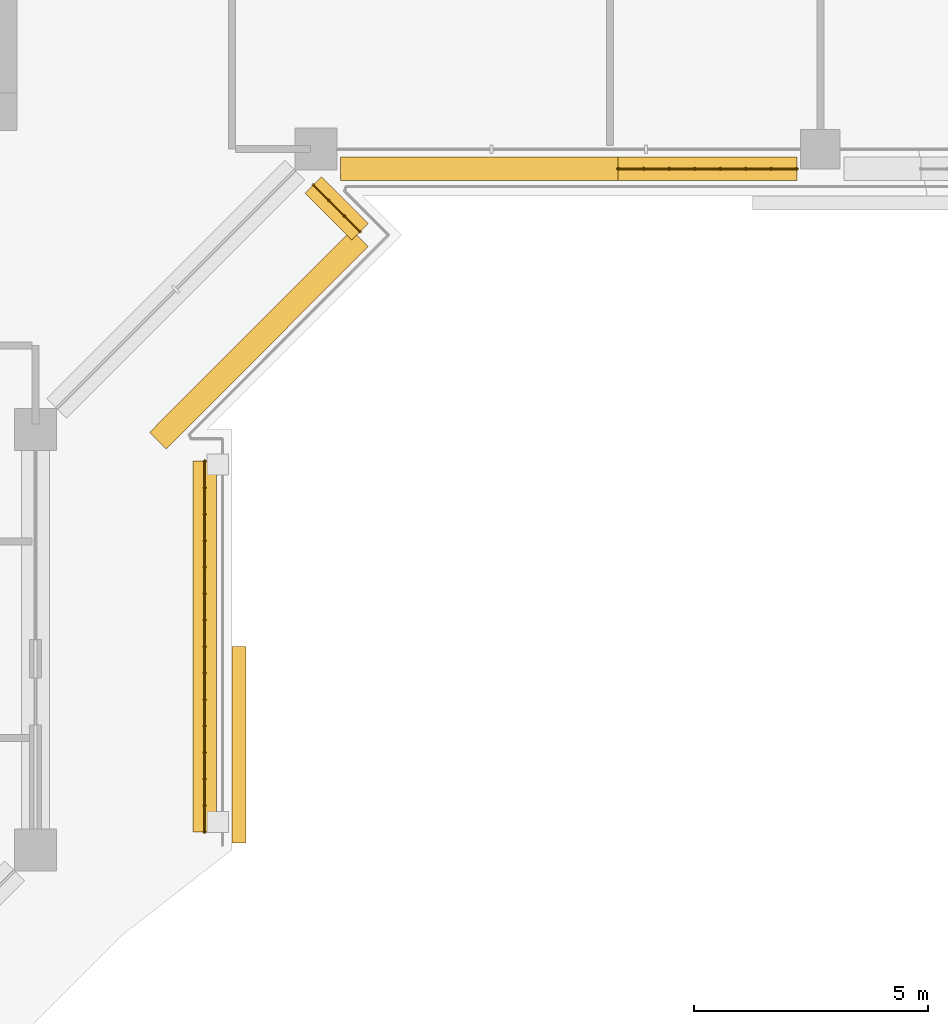
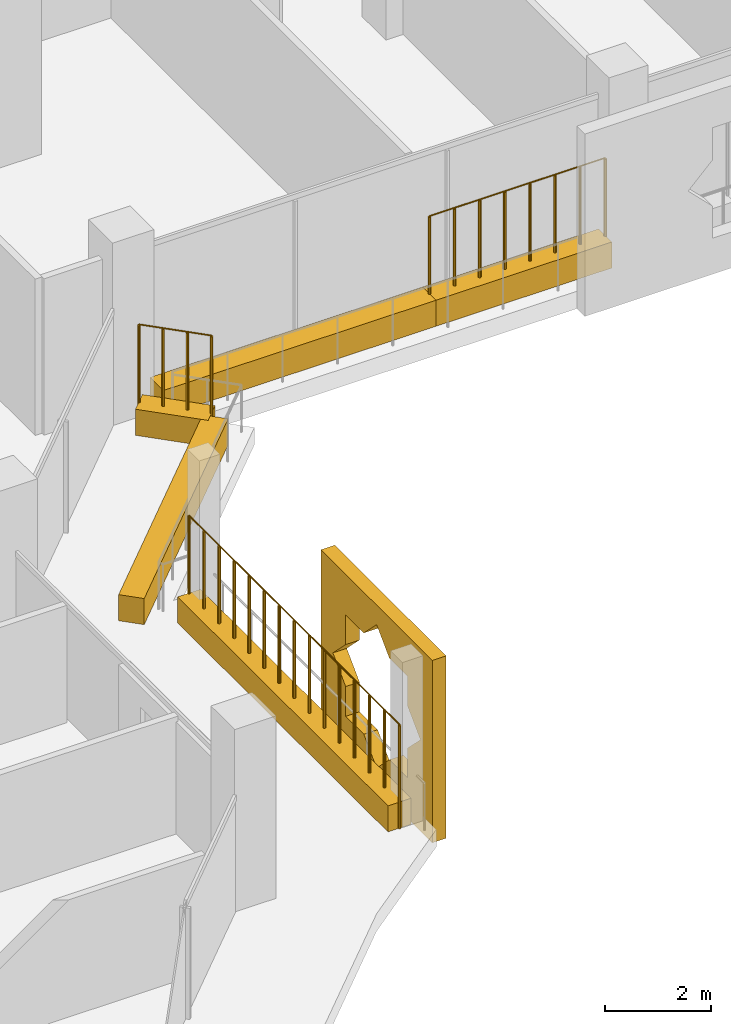
# One storey, part 17 of 22: 6 coverings, 3 railings.
"""IFC4 building model written with IfcOpenShell, lengths in metres."""

from ifc_helpers import new_model, si_unit, direction, frame, origin, origin_2d, place, context, subcontext, project, spatial, polyline, rectangle, circle, outline, extrude, material, material_profile, profile_set, type_object, element, save


model = new_model("IFC4")

# Units and contexts
model_context = context("Model", 3, precision=1e-05, world=origin(), true_north=direction((0.0, 1.0)))
body_context = subcontext(model_context, "Body", "Model", "MODEL_VIEW")
ifc_project = project(units=[si_unit("LENGTHUNIT", "METRE"), si_unit("AREAUNIT", "SQUARE_METRE"), si_unit("VOLUMEUNIT", "CUBIC_METRE"), si_unit("PLANEANGLEUNIT", "RADIAN"), si_unit("MASSUNIT", "GRAM", prefix="KILO")], contexts=[model_context])

# Site, building, storey
site_placement = place(None, origin())
site = spatial("IfcSite", under=ifc_project, at=site_placement, CompositionType="ELEMENT")
building_placement = place(site_placement, origin())
building = spatial("IfcBuilding", under=site, at=building_placement, Name="Kawkab Arch Medical Tower", CompositionType="ELEMENT")
storey_placement = place(building_placement, frame((0.0, 0.0, 255.800048828125)))
storey = spatial("IfcBuildingStorey", under=building, at=storey_placement, Name="L59", CompositionType="ELEMENT", Elevation=255.800048828125)

# Coverings
ifc_material_1 = material(Name="Bronze anodised aluminium mashrabiya panel, eight-point star pattern", Category="aluminium")
ifc_material_profile_1 = material_profile(ifc_material_1, outline(polyline([(-2.10009765625, -2.10009765625), (2.10009765625, -2.10009765625), (2.10009765625, 2.10009765625), (-2.10009765625, 2.10009765625), (-2.10009765625, -2.10009765625)]), holes=[polyline([(1.64990234375, 0.0), (1.166748046875, 0.4833984375), (1.166748046875, 1.166748046875), (0.4833984375, 1.166748046875), (0.0, 1.64990234375), (-0.4833984375, 1.166748046875), (-1.166748046875, 1.166748046875), (-1.166748046875, 0.4833984375), (-1.64990234375, 0.0), (-1.166748046875, -0.4833984375), (-1.166748046875, -1.166748046875), (-0.4833984375, -1.166748046875), (0.0, -1.64990234375), (0.4833984375, -1.166748046875), (1.166748046875, -1.166748046875), (1.166748046875, -0.4833984375), (1.64990234375, 0.0)])]), Name="Mashrabiya panel 4200x4200")
ifc_profile_set_1 = profile_set([ifc_material_profile_1], Name="Bronze anodised aluminium mashrabiya panel, eight-point star pattern")
covering_type_1 = type_object("IfcCoveringType", Name="Mashrabiya panel 4200 x 4200", PredefinedType="USERDEFINED", material=ifc_profile_set_1)
covering_1_placement = place(storey_placement, frame((29.39990234375, -37.94873046875, 1.699951171875), z_axis=(1.0, 0.0, 0.0), x_axis=(0.0, 1.0, 0.0)))
element("IfcCovering", 1, at=covering_1_placement, inside=storey, type_object=covering_type_1, Name="Mashrabiya panel L59.LOG-01-01.11", ObjectType="SCREEN", PredefinedType="USERDEFINED", context=body_context, shape_type="SweptSolid", body=[
    extrude(outline(polyline([(-2.10009765625, -2.10009765625), (2.10009765625, -2.10009765625), (2.10009765625, 2.10009765625), (-2.10009765625, 2.10009765625), (-2.10009765625, -2.10009765625)]), holes=[polyline([(1.64990234375, 0.0), (1.166748046875, 0.4833984375), (1.166748046875, 1.166748046875), (0.4833984375, 1.166748046875), (0.0, 1.64990234375), (-0.4833984375, 1.166748046875), (-1.166748046875, 1.166748046875), (-1.166748046875, 0.4833984375), (-1.64990234375, 0.0), (-1.166748046875, -0.4833984375), (-1.166748046875, -1.166748046875), (-0.4833984375, -1.166748046875), (0.0, -1.64990234375), (0.4833984375, -1.166748046875), (1.166748046875, -1.166748046875), (1.166748046875, -0.4833984375), (1.64990234375, 0.0)])]), origin(), (0.0, 0.0, 1.0), 0.300048828125),
])
ifc_material_2 = material(Name="Planting soil in a precast trough", Category="concrete")
ifc_material_profile_2 = material_profile(ifc_material_2, rectangle(XDim=0.5, YDim=0.60009765625, at=origin_2d()), Name="Trough 500x600")
ifc_profile_set_2 = profile_set([ifc_material_profile_2], Name="Planting soil in a precast trough")
covering_type_2 = type_object("IfcCoveringType", Name="Planter trough 500 x 600", PredefinedType="USERDEFINED", material=ifc_profile_set_2)
covering_2_placement = place(storey_placement, frame((41.4951171875, -25.6201171875, 0.300048828125), z_axis=(-1.0, 0.0, 0.0), x_axis=(0.0, -1.0, 0.0)))
element("IfcCovering", 2, at=covering_2_placement, inside=storey, type_object=covering_type_2, Name="Planter L59.LOG-01-01.35", ObjectType="PLANTER", PredefinedType="USERDEFINED", context=body_context, shape_type="SweptSolid", body=[
    extrude(rectangle(XDim=0.5, YDim=0.60009765625, at=origin_2d()), origin(), (0.0, 0.0, 1.0), 3.8251953125),
])
covering_3_placement = place(storey_placement, frame((37.669921875, -25.6201171875, 0.300048828125), z_axis=(-1.0, 0.0, 0.0), x_axis=(0.0, -1.0, 0.0)))
element("IfcCovering", 3, at=covering_3_placement, inside=storey, type_object=covering_type_2, Name="Planter L59.LOG-01-01.36", ObjectType="PLANTER", PredefinedType="USERDEFINED", context=body_context, shape_type="SweptSolid", body=[
    extrude(rectangle(XDim=0.5, YDim=0.60009765625, at=origin_2d()), origin(), (0.0, 0.0, 1.0), 5.93994140625),
])
covering_4_placement = place(storey_placement, frame((31.14306640625, -25.962890625, 0.300048828125), z_axis=(0.707020805532, -0.707192746389, 0.0), x_axis=(0.707192746389, 0.707020805532, 0.0)))
element("IfcCovering", 4, at=covering_4_placement, inside=storey, type_object=covering_type_2, Name="Planter L59.LOG-01-01.37", ObjectType="PLANTER", PredefinedType="USERDEFINED", context=body_context, shape_type="SweptSolid", body=[
    extrude(rectangle(XDim=0.5, YDim=0.60009765625, at=origin_2d()), origin(), (0.0, 0.0, 1.0), 1.419921875),
])
covering_5_placement = place(storey_placement, frame((32.14697265625, -27.10888671875, 0.300048828125), z_axis=(-0.707007043994, -0.707206504313, 0.0), x_axis=(0.707206504313, -0.707007043994, 0.0)))
element("IfcCovering", 5, at=covering_5_placement, inside=storey, type_object=covering_type_2, Name="Planter L59.LOG-01-01.38", ObjectType="PLANTER", PredefinedType="USERDEFINED", context=body_context, shape_type="SweptSolid", body=[
    extrude(rectangle(XDim=0.5, YDim=0.60009765625, at=origin_2d()), origin(), (0.0, 0.0, 1.0), 6.1201171875),
])
covering_6_placement = place(storey_placement, frame((28.820068359375, -31.8798828125, 0.300048828125), z_axis=(0.0, -1.0, 0.0), x_axis=(1.0, 0.0, 0.0)))
element("IfcCovering", 6, at=covering_6_placement, inside=storey, type_object=covering_type_2, Name="Planter L59.LOG-01-01.39", ObjectType="PLANTER", PredefinedType="USERDEFINED", context=body_context, shape_type="SweptSolid", body=[
    extrude(rectangle(XDim=0.5, YDim=0.60009765625, at=origin_2d()), origin(), (0.0, 0.0, 1.0), 7.93603515625),
])

# Railings
ifc_material_3 = material(Name="Bronze anodised aluminium trellis for climbing plants", Category="aluminium")
railing_type = type_object("IfcRailingType", Name="Planting trellis 2400", PredefinedType="USERDEFINED", material=ifc_material_3)
railing_1_placement = place(storey_placement, frame((41.4951171875, -25.6201171875, 0.0)))
element("IfcRailing", 7, at=railing_1_placement, inside=storey, type_object=railing_type, Name="Planting trellis L59.LOG-01-01.35", ObjectType="TRELLIS", PredefinedType="USERDEFINED", context=body_context, shape_type="SweptSolid", body=[
    extrude(circle(Radius=0.01513671875, at=origin_2d()), frame((0.0, 0.0, 2.384765625), z_axis=(-1.0, 0.0, 0.0), x_axis=(0.0, -1.0, 0.0)), (0.0, 0.0, 1.0), 3.8251953125),
    extrude(circle(Radius=0.030029296875, at=origin_2d()), origin(), (0.0, 0.0, 1.0), 2.369873046875),
    extrude(circle(Radius=0.030029296875, at=origin_2d()), frame((-0.54638671875, 0.0, 0.0)), (0.0, 0.0, 1.0), 2.369873046875),
    extrude(circle(Radius=0.030029296875, at=origin_2d()), frame((-1.093017578125, 0.0, 0.0)), (0.0, 0.0, 1.0), 2.369873046875),
    extrude(circle(Radius=0.030029296875, at=origin_2d()), frame((-1.639404296875, 0.0, 0.0)), (0.0, 0.0, 1.0), 2.369873046875),
    extrude(circle(Radius=0.030029296875, at=origin_2d()), frame((-2.185791015625, 0.0, 0.0)), (0.0, 0.0, 1.0), 2.369873046875),
    extrude(circle(Radius=0.030029296875, at=origin_2d()), frame((-2.732177734375, 0.0, 0.0)), (0.0, 0.0, 1.0), 2.369873046875),
    extrude(circle(Radius=0.030029296875, at=origin_2d()), frame((-3.27880859375, 0.0, 0.0)), (0.0, 0.0, 1.0), 2.369873046875),
    extrude(circle(Radius=0.030029296875, at=origin_2d()), frame((-3.8251953125, 0.0, 0.0)), (0.0, 0.0, 1.0), 2.369873046875),
])
railing_2_placement = place(storey_placement, frame((31.14306640625, -25.962890625, 0.0)))
element("IfcRailing", 8, at=railing_2_placement, inside=storey, type_object=railing_type, Name="Planting trellis L59.LOG-01-01.37", ObjectType="TRELLIS", PredefinedType="USERDEFINED", context=body_context, shape_type="SweptSolid", body=[
    extrude(circle(Radius=0.01513671875, at=origin_2d()), frame((0.0, 0.0, 2.384765625), z_axis=(0.707020805532, -0.707192746389, 0.0), x_axis=(0.707192746389, 0.707020805532, 0.0)), (0.0, 0.0, 1.0), 1.419921875),
    extrude(circle(Radius=0.030029296875, at=origin_2d()), origin(), (0.0, 0.0, 1.0), 2.369873046875),
    extrude(circle(Radius=0.030029296875, at=origin_2d()), frame((0.334716796875, -0.334716796875, 0.0)), (0.0, 0.0, 1.0), 2.369873046875),
    extrude(circle(Radius=0.030029296875, at=origin_2d()), frame((0.669189453125, -0.66943359375, 0.0)), (0.0, 0.0, 1.0), 2.369873046875),
    extrude(circle(Radius=0.030029296875, at=origin_2d()), frame((1.00390625, -1.004150390625, 0.0)), (0.0, 0.0, 1.0), 2.369873046875),
])
railing_3_placement = place(storey_placement, frame((28.820068359375, -31.8798828125, 0.0)))
element("IfcRailing", 9, at=railing_3_placement, inside=storey, type_object=railing_type, Name="Planting trellis L59.LOG-01-01.39", ObjectType="TRELLIS", PredefinedType="USERDEFINED", context=body_context, shape_type="SweptSolid", body=[
    extrude(circle(Radius=0.01513671875, at=origin_2d()), frame((0.0, 0.0, 2.384765625), z_axis=(0.0, -1.0, 0.0), x_axis=(1.0, 0.0, 0.0)), (0.0, 0.0, 1.0), 7.93603515625),
    extrude(circle(Radius=0.030029296875, at=origin_2d()), origin(), (0.0, 0.0, 1.0), 2.369873046875),
    extrude(circle(Radius=0.030029296875, at=origin_2d()), frame((0.0, -0.56689453125, 0.0)), (0.0, 0.0, 1.0), 2.369873046875),
    extrude(circle(Radius=0.030029296875, at=origin_2d()), frame((0.0, -1.1337890625, 0.0)), (0.0, 0.0, 1.0), 2.369873046875),
    extrude(circle(Radius=0.030029296875, at=origin_2d()), frame((0.0, -1.70068359375, 0.0)), (0.0, 0.0, 1.0), 2.369873046875),
    extrude(circle(Radius=0.030029296875, at=origin_2d()), frame((0.0, -2.267333984375, 0.0)), (0.0, 0.0, 1.0), 2.369873046875),
    extrude(circle(Radius=0.030029296875, at=origin_2d()), frame((0.0, -2.834228515625, 0.0)), (0.0, 0.0, 1.0), 2.369873046875),
    extrude(circle(Radius=0.030029296875, at=origin_2d()), frame((0.0, -3.401123046875, 0.0)), (0.0, 0.0, 1.0), 2.369873046875),
    extrude(circle(Radius=0.030029296875, at=origin_2d()), frame((0.0, -3.968017578125, 0.0)), (0.0, 0.0, 1.0), 2.369873046875),
    extrude(circle(Radius=0.030029296875, at=origin_2d()), frame((0.0, -4.534912109375, 0.0)), (0.0, 0.0, 1.0), 2.369873046875),
    extrude(circle(Radius=0.030029296875, at=origin_2d()), frame((0.0, -5.101806640625, 0.0)), (0.0, 0.0, 1.0), 2.369873046875),
    extrude(circle(Radius=0.030029296875, at=origin_2d()), frame((0.0, -5.668701171875, 0.0)), (0.0, 0.0, 1.0), 2.369873046875),
    extrude(circle(Radius=0.030029296875, at=origin_2d()), frame((0.0, -6.2353515625, 0.0)), (0.0, 0.0, 1.0), 2.369873046875),
    extrude(circle(Radius=0.030029296875, at=origin_2d()), frame((0.0, -6.80224609375, 0.0)), (0.0, 0.0, 1.0), 2.369873046875),
    extrude(circle(Radius=0.030029296875, at=origin_2d()), frame((0.0, -7.369140625, 0.0)), (0.0, 0.0, 1.0), 2.369873046875),
    extrude(circle(Radius=0.030029296875, at=origin_2d()), frame((0.0, -7.93603515625, 0.0)), (0.0, 0.0, 1.0), 2.369873046875),
])

save(model, "model.ifc")
